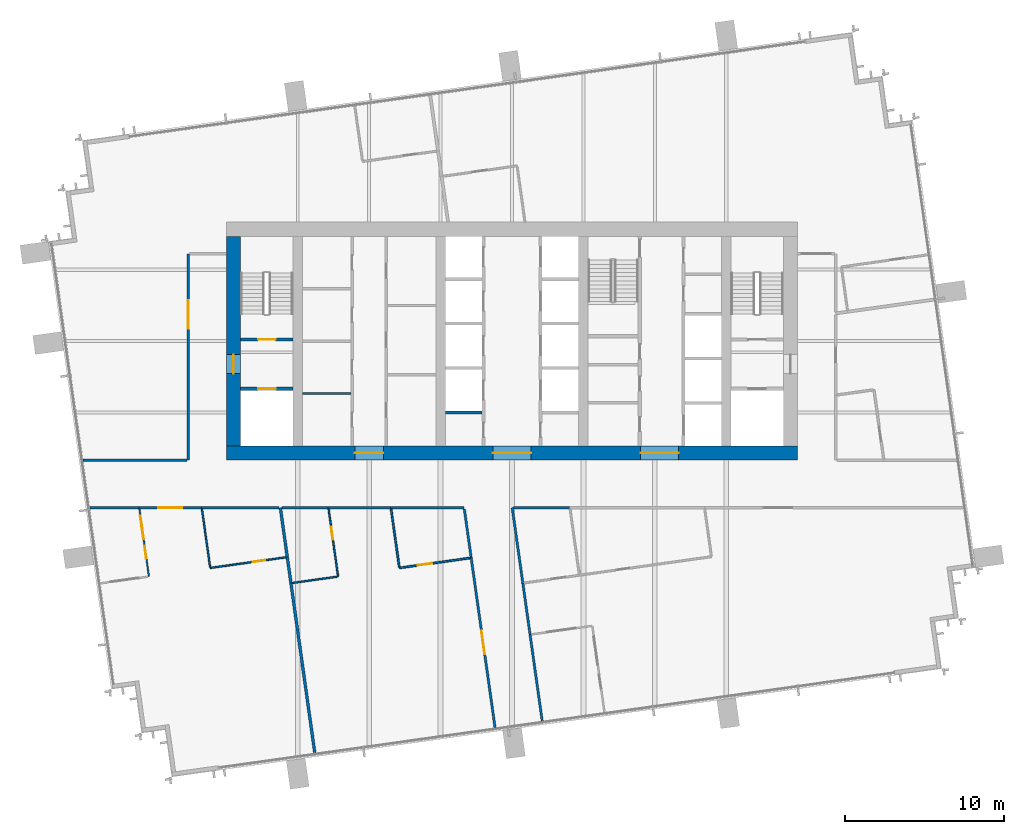
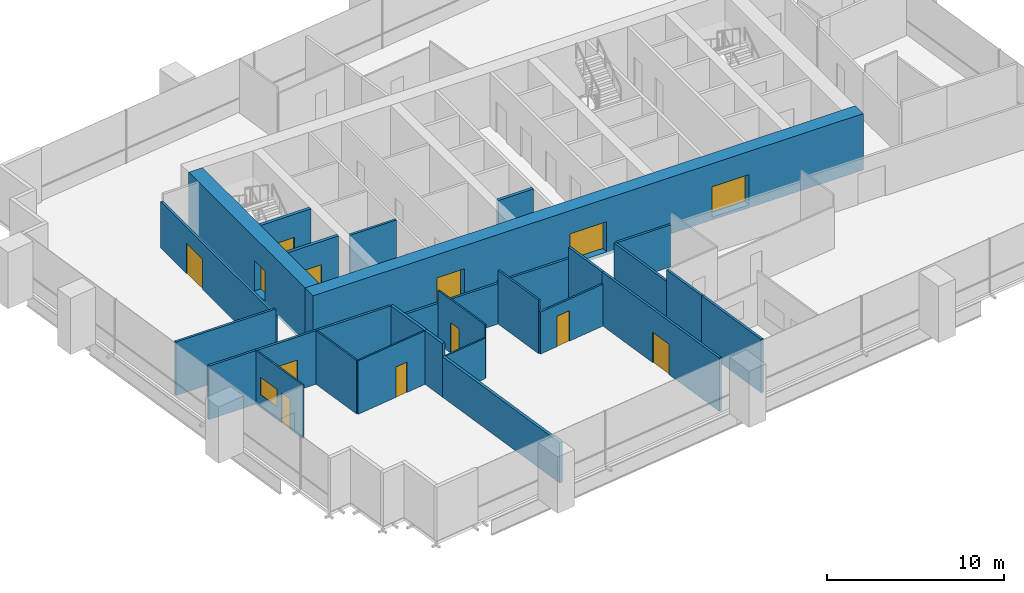
# One storey, part 9 of 14: 30 walls, 13 doors, 1 window, 14 openings.
"""IFC4 building model written with IfcOpenShell, lengths in metres."""

from ifc_helpers import new_model, si_unit, direction, frame, frame_2d, origin, place, context, subcontext, project, spatial, rectangle, extrude, material, layer, layer_set, type_object, element, fill, save


model = new_model("IFC4")

# Units and contexts
model_context = context("Model", 3, precision=1e-05, world=origin(), true_north=direction((0.0, 1.0)))
body_context = subcontext(model_context, "Body", "Model", "MODEL_VIEW")
ifc_project = project(units=[si_unit("LENGTHUNIT", "METRE"), si_unit("AREAUNIT", "SQUARE_METRE"), si_unit("VOLUMEUNIT", "CUBIC_METRE"), si_unit("PLANEANGLEUNIT", "RADIAN"), si_unit("MASSUNIT", "GRAM", prefix="KILO")], contexts=[model_context])

# Site, building, storey
site_placement = place(None, origin())
site = spatial("IfcSite", under=ifc_project, at=site_placement, CompositionType="ELEMENT")
building_placement = place(site_placement, origin())
building = spatial("IfcBuilding", under=site, at=building_placement, Name="Rattan Terrace Tower", CompositionType="ELEMENT")
storey_placement = place(building_placement, frame((0.0, 0.0, 172.39990234375)))
storey = spatial("IfcBuildingStorey", under=building, at=storey_placement, Name="L39", CompositionType="ELEMENT", Elevation=172.39990234375)

# Wall
ifc_material_1 = material(Name="Gypsum board partition")
ifc_layer_1 = layer(ifc_material_1, 0.14990234375)
ifc_layer_set_1 = layer_set([ifc_layer_1], Name="Core partition 150")
wall_type_1 = type_object("IfcWallType", Name="Core partition 150", PredefinedType="PARTITIONING", material=ifc_layer_set_1)
wall_1_placement = place(storey_placement, frame((-13.199951171875, -3.300048828125, 0.0), z_axis=(0.0, 0.0, 1.0), x_axis=(1.0, 0.0, 0.0)))
element("IfcWall", 1, at=wall_1_placement, inside=storey, type_object=wall_type_1, Name="Core room wall", PredefinedType="PARTITIONING", context=body_context, shape_type="SweptSolid", body=[
    extrude(rectangle(XDim=3.050048828125, YDim=0.14990234375, at=frame_2d((1.52490234375, 0.0))), origin(), (0.0, 0.0, 1.0), 3.7001953125),
])

# Wall, opening, door
ifc_material_2 = material(Name="Gypsum board partition")
ifc_layer_2 = layer(ifc_material_2, 0.199951171875)
ifc_layer_set_2 = layer_set([ifc_layer_2], Name="Core partition 200")
wall_type_2 = type_object("IfcWallType", Name="Core partition 200", PredefinedType="PARTITIONING", material=ifc_layer_set_2)
wall_2_placement = place(storey_placement, frame((-17.10009765625, -3.0, 0.0), z_axis=(0.0, 0.0, 1.0), x_axis=(1.0, 0.0, 0.0)))
wall_2 = element("IfcWall", 2, at=wall_2_placement, inside=storey, type_object=wall_type_2, Name="Fire-fighting lobby wall", PredefinedType="PARTITIONING", context=body_context, shape_type="SweptSolid", body=[
    extrude(rectangle(XDim=3.300048828125, YDim=0.199951171875, at=frame_2d((1.64990234375, 0.0))), origin(), (0.0, 0.0, 1.0), 3.7001953125),
])
opening_1_placement = place(wall_2_placement, frame((1.10009765625, 0.0, 0.0)))
opening_1 = element("IfcOpeningElement", 3, at=opening_1_placement, cuts=wall_2, Name="Opening L39-LD-FF1", PredefinedType="OPENING", context=body_context, shape_type="SweptSolid", body=[
    extrude(rectangle(XDim=1.10009765625, YDim=2.10009765625, at=frame_2d((0.550048828125, 1.050048828125))), frame((0.0, 0.110595703125, 0.0), z_axis=(0.0, -1.0, 0.0), x_axis=(1.0, 0.0, 0.0)), (0.0, 0.0, 1.0), 0.220947265625),
])
ifc_material_3 = material(Name="Brushed stainless landing door panel")
door_type_1 = type_object("IfcDoorType", Name="Core lift landing door 1100", OperationType="DOUBLE_DOOR_SLIDING", PredefinedType="DOOR", material=ifc_material_3)
door_1_placement = place(opening_1_placement, origin())
door_1 = element("IfcDoor", 4, at=door_1_placement, inside=storey, type_object=door_type_1, Name="Door L39-LD-FF1", OperationType="DOUBLE_DOOR_SLIDING", OverallHeight=2.10009765625, OverallWidth=1.10009765625, PredefinedType="DOOR", context=body_context, shape_type="SweptSolid", body=[
    extrude(rectangle(XDim=1.10009765625, YDim=2.10009765625, at=frame_2d((0.550048828125, 1.050048828125))), frame((0.0, 0.02490234375, 0.0), z_axis=(0.0, -1.0, 0.0), x_axis=(1.0, 0.0, 0.0)), (0.0, 0.0, 1.0), 0.050048828125),
])
fill(opening_1, door_1)

wall_3_placement = place(storey_placement, frame((-17.10009765625, 0.10009765625, 0.0), z_axis=(0.0, 0.0, 1.0), x_axis=(1.0, 0.0, 0.0)))
wall_3 = element("IfcWall", 5, at=wall_3_placement, inside=storey, type_object=wall_type_2, Name="Stair enclosure wall", PredefinedType="PARTITIONING", context=body_context, shape_type="SweptSolid", body=[
    extrude(rectangle(XDim=3.300048828125, YDim=0.199951171875, at=frame_2d((1.64990234375, 0.0))), origin(), (0.0, 0.0, 1.0), 3.7001953125),
])
opening_2_placement = place(wall_3_placement, frame((1.10009765625, 0.0, 0.0)))
opening_2 = element("IfcOpeningElement", 6, at=opening_2_placement, cuts=wall_3, Name="Opening L39-D002", PredefinedType="OPENING", context=body_context, shape_type="SweptSolid", body=[
    extrude(rectangle(XDim=1.10009765625, YDim=2.10009765625, at=frame_2d((0.550048828125, 1.050048828125))), frame((0.0, 0.110595703125, 0.0), z_axis=(0.0, -1.0, 0.0), x_axis=(1.0, 0.0, 0.0)), (0.0, 0.0, 1.0), 0.220947265625),
])
ifc_material_4 = material(Name="Hollow-metal fire door leaf")
door_type_2 = type_object("IfcDoorType", Name="Core stair door 1100", OperationType="NOTDEFINED", PredefinedType="DOOR", material=ifc_material_4)
door_2_placement = place(opening_2_placement, origin())
door_2 = element("IfcDoor", 7, at=door_2_placement, inside=storey, type_object=door_type_2, Name="Door L39-D002", OperationType="SINGLE_SWING_RIGHT", OverallHeight=2.10009765625, OverallWidth=1.10009765625, PredefinedType="DOOR", context=body_context, shape_type="SweptSolid", body=[
    extrude(rectangle(XDim=1.10009765625, YDim=2.10009765625, at=frame_2d((0.550048828125, 1.050048828125))), frame((0.0, 0.02490234375, 0.0), z_axis=(0.0, -1.0, 0.0), x_axis=(1.0, 0.0, 0.0)), (0.0, 0.0, 1.0), 0.050048828125),
])
fill(opening_2, door_2)

# Wall, openings, doors
ifc_material_5 = material(Name="Concrete C60/75", Category="concrete")
ifc_layer_3 = layer(ifc_material_5, 0.89990234375)
ifc_layer_set_3 = layer_set([ifc_layer_3], Name="Core ring wall 900 C60/75")
wall_type_3 = type_object("IfcWallType", Name="Core ring wall 900 C60/75", PredefinedType="SHEAR", material=ifc_layer_set_3)
wall_4_placement = place(storey_placement, frame((-18.0, -7.050048828125, -0.199951171875), z_axis=(0.0, 0.0, 1.0), x_axis=(1.0, 0.0, 0.0)))
wall_4 = element("IfcWall", 8, at=wall_4_placement, inside=storey, type_object=wall_type_3, Name="Rear core wall south", PredefinedType="SHEAR", context=body_context, shape_type="SweptSolid", body=[
    extrude(rectangle(XDim=36.0, YDim=0.89990234375, at=frame_2d((18.0, 0.0))), origin(), (0.0, 0.0, 1.0), 3.900146484375),
])
opening_3_placement = place(wall_4_placement, frame((8.10009765625, 0.0, 0.199951171875)))
opening_3 = element("IfcOpeningElement", 9, at=opening_3_placement, cuts=wall_4, Name="Opening L39-D012", PredefinedType="OPENING", context=body_context, shape_type="SweptSolid", body=[
    extrude(rectangle(XDim=1.800048828125, YDim=2.10009765625, at=frame_2d((0.89990234375, 1.050048828125))), frame((0.0, 0.46044921875, 0.0), z_axis=(0.0, -1.0, 0.0), x_axis=(1.0, 0.0, 0.0)), (0.0, 0.0, 1.0), 0.9208984375),
])
opening_4_placement = place(wall_4_placement, frame((16.800048828125, 0.0, 0.199951171875)))
opening_4 = element("IfcOpeningElement", 10, at=opening_4_placement, cuts=wall_4, Name="Opening L39-D015", PredefinedType="OPENING", context=body_context, shape_type="SweptSolid", body=[
    extrude(rectangle(XDim=2.39990234375, YDim=2.10009765625, at=frame_2d((1.199951171875, 1.050048828125))), frame((0.0, 0.46044921875, 0.0), z_axis=(0.0, -1.0, 0.0), x_axis=(1.0, 0.0, 0.0)), (0.0, 0.0, 1.0), 0.9208984375),
])
opening_5_placement = place(wall_4_placement, frame((26.10009765625, 0.0, 0.199951171875)))
opening_5 = element("IfcOpeningElement", 11, at=opening_5_placement, cuts=wall_4, Name="Opening L39-D020", PredefinedType="OPENING", context=body_context, shape_type="SweptSolid", body=[
    extrude(rectangle(XDim=2.39990234375, YDim=2.10009765625, at=frame_2d((1.199951171875, 1.050048828125))), frame((0.0, 0.46044921875, 0.0), z_axis=(0.0, -1.0, 0.0), x_axis=(1.0, 0.0, 0.0)), (0.0, 0.0, 1.0), 0.9208984375),
])
ifc_material_6 = material(Name="Hollow-metal fire door leaf")
door_type_3 = type_object("IfcDoorType", Name="Core lift lobby door 2400", OperationType="NOTDEFINED", PredefinedType="DOOR", material=ifc_material_6)
door_3_placement = place(opening_4_placement, origin())
door_3 = element("IfcDoor", 12, at=door_3_placement, inside=storey, type_object=door_type_3, Name="Door L39-D015", OperationType="DOUBLE_DOOR_DOUBLE_SWING", OverallHeight=2.10009765625, OverallWidth=2.39990234375, PredefinedType="DOOR", context=body_context, shape_type="SweptSolid", body=[
    extrude(rectangle(XDim=2.39990234375, YDim=2.10009765625, at=frame_2d((1.199951171875, 1.050048828125))), frame((0.0, 0.02490234375, 0.0), z_axis=(0.0, -1.0, 0.0), x_axis=(1.0, 0.0, 0.0)), (0.0, 0.0, 1.0), 0.050048828125),
])
fill(opening_4, door_3)
door_4_placement = place(opening_5_placement, origin())
door_4 = element("IfcDoor", 13, at=door_4_placement, inside=storey, type_object=door_type_3, Name="Door L39-D020", OperationType="DOUBLE_DOOR_DOUBLE_SWING", OverallHeight=2.10009765625, OverallWidth=2.39990234375, PredefinedType="DOOR", context=body_context, shape_type="SweptSolid", body=[
    extrude(rectangle(XDim=2.39990234375, YDim=2.10009765625, at=frame_2d((1.199951171875, 1.050048828125))), frame((0.0, 0.02490234375, 0.0), z_axis=(0.0, -1.0, 0.0), x_axis=(1.0, 0.0, 0.0)), (0.0, 0.0, 1.0), 0.050048828125),
])
fill(opening_5, door_4)
ifc_material_7 = material(Name="Hollow-metal fire door leaf")
door_type_4 = type_object("IfcDoorType", Name="Core service room door 1800", OperationType="NOTDEFINED", PredefinedType="DOOR", material=ifc_material_7)
door_5_placement = place(opening_3_placement, origin())
door_5 = element("IfcDoor", 14, at=door_5_placement, inside=storey, type_object=door_type_4, Name="Door L39-D012", OperationType="SINGLE_SWING_RIGHT", OverallHeight=2.10009765625, OverallWidth=1.800048828125, PredefinedType="DOOR", context=body_context, shape_type="SweptSolid", body=[
    extrude(rectangle(XDim=1.800048828125, YDim=2.10009765625, at=frame_2d((0.89990234375, 1.050048828125))), frame((0.0, 0.02490234375, 0.0), z_axis=(0.0, -1.0, 0.0), x_axis=(1.0, 0.0, 0.0)), (0.0, 0.0, 1.0), 0.050048828125),
])
fill(opening_3, door_5)

# Wall, opening, door
wall_5_placement = place(storey_placement, frame((-17.550048828125, -6.60009765625, -0.199951171875), z_axis=(0.0, 0.0, 1.0), x_axis=(0.0, 1.0, 0.0)))
wall_5 = element("IfcWall", 15, at=wall_5_placement, inside=storey, type_object=wall_type_3, Name="Rear core wall west", PredefinedType="SHEAR", context=body_context, shape_type="SweptSolid", body=[
    extrude(rectangle(XDim=13.2001953125, YDim=0.89990234375, at=frame_2d((6.60009765625, 0.0))), origin(), (0.0, 0.0, 1.0), 3.900146484375),
])
opening_6_placement = place(wall_5_placement, frame((4.550048828125, 0.0, 0.199951171875)))
opening_6 = element("IfcOpeningElement", 16, at=opening_6_placement, cuts=wall_5, Name="Opening L39-D001", PredefinedType="OPENING", context=body_context, shape_type="SweptSolid", body=[
    extrude(rectangle(XDim=1.199951171875, YDim=2.10009765625, at=frame_2d((0.60009765625, 1.050048828125))), frame((0.0, 0.46044921875, 0.0), z_axis=(0.0, -1.0, 0.0), x_axis=(1.0, 0.0, 0.0)), (0.0, 0.0, 1.0), 0.9208984375),
])
ifc_material_8 = material(Name="Hollow-metal fire door leaf")
door_type_5 = type_object("IfcDoorType", Name="Core fire-fighting lobby door 1200", OperationType="NOTDEFINED", PredefinedType="DOOR", material=ifc_material_8)
door_6_placement = place(opening_6_placement, origin())
door_6 = element("IfcDoor", 17, at=door_6_placement, inside=storey, type_object=door_type_5, Name="Door L39-D001", OperationType="SINGLE_SWING_LEFT", OverallHeight=2.10009765625, OverallWidth=1.199951171875, PredefinedType="DOOR", context=body_context, shape_type="SweptSolid", body=[
    extrude(rectangle(XDim=1.199951171875, YDim=2.10009765625, at=frame_2d((0.60009765625, 1.050048828125))), frame((0.0, 0.02490234375, 0.0), z_axis=(0.0, -1.0, 0.0), x_axis=(1.0, 0.0, 0.0)), (0.0, 0.0, 1.0), 0.050048828125),
])
fill(opening_6, door_6)

# Walls
ifc_material_9 = material(Name="Double steel stud acoustic partition, gypsum board, mineral wool, fire rated", Category="steel")
ifc_layer_4 = layer(ifc_material_9, 0.179931640625)
ifc_layer_set_4 = layer_set([ifc_layer_4], Name="Floors Acoustic Party Wall 180")
wall_type_4 = type_object("IfcWallType", Name="Floors Acoustic Party Wall 180", PredefinedType="PARTITIONING", material=ifc_layer_set_4)
wall_6_placement = place(storey_placement, frame((-13.929931640625, -15.23291015625, 0.0), z_axis=(0.0, 0.0, 1.0), x_axis=(0.139092809985, -0.990279349583, 0.0)))
element("IfcWall", 18, at=wall_6_placement, inside=storey, type_object=wall_type_4, Name="pt-L39-028", PredefinedType="PARTITIONING", context=body_context, shape_type="SweptSolid", body=[
    extrude(rectangle(XDim=10.80517578125, YDim=0.179931640625, at=frame_2d((5.402587890625, 0.0))), origin(), (0.0, 0.0, 1.0), 2.800048828125),
])
wall_7_placement = place(storey_placement, frame((-14.157958984375, -13.611083984375, 0.0), z_axis=(0.0, 0.0, 1.0), x_axis=(0.139229707098, -0.990260111618, 0.0)))
element("IfcWall", 19, at=wall_7_placement, inside=storey, type_object=wall_type_4, Name="pt-L39-029", PredefinedType="PARTITIONING", context=body_context, shape_type="SweptSolid", body=[
    extrude(rectangle(XDim=1.6376953125, YDim=0.179931640625, at=frame_2d((0.81884765625, 0.0))), origin(), (0.0, 0.0, 1.0), 3.7001953125),
])
wall_8_placement = place(storey_placement, frame((-14.594970703125, -10.5, 0.0), z_axis=(0.0, 0.0, 1.0), x_axis=(0.139103611391, -0.990277832377, 0.0)))
element("IfcWall", 20, at=wall_8_placement, inside=storey, type_object=wall_type_4, Name="pt-L39-030", PredefinedType="PARTITIONING", context=body_context, shape_type="SweptSolid", body=[
    extrude(rectangle(XDim=3.1416015625, YDim=0.179931640625, at=frame_2d((1.57080078125, 0.0))), origin(), (0.0, 0.0, 1.0), 3.7001953125),
])

# Wall, openings, door, window
ifc_material_10 = material(Name="Gypsum board partition on steel studs", Category="steel")
ifc_layer_5 = layer(ifc_material_10, 0.10009765625)
ifc_layer_set_5 = layer_set([ifc_layer_5], Name="Floors Partition 100")
wall_type_5 = type_object("IfcWallType", Name="Floors Partition 100", PredefinedType="PARTITIONING", material=ifc_layer_set_5)
wall_9_placement = place(storey_placement, frame((-22.875, -14.8359375, 0.0), z_axis=(0.0, 0.0, 1.0), x_axis=(-0.139240076126, 0.990258653686, 0.0)))
wall_9 = element("IfcWall", 21, at=wall_9_placement, inside=storey, type_object=wall_type_5, Name="pt-L39-025", PredefinedType="PARTITIONING", context=body_context, shape_type="SweptSolid", body=[
    extrude(rectangle(XDim=4.309814453125, YDim=0.10009765625, at=frame_2d((2.15478515625, 0.0))), origin(), (0.0, 0.0, 1.0), 3.7001953125),
])
opening_7_placement = place(wall_9_placement, frame((1.153076171875, 0.0, 0.0)))
opening_7 = element("IfcOpeningElement", 22, at=opening_7_placement, cuts=wall_9, Name="Opening L39-D101", PredefinedType="OPENING", context=body_context, shape_type="SweptSolid", body=[
    extrude(rectangle(XDim=0.800048828125, YDim=2.10009765625, at=frame_2d((0.39990234375, 1.050048828125))), frame((0.0, 0.060546875, 0.0), z_axis=(0.0, -1.0, 0.0), x_axis=(1.0, 0.0, 0.0)), (0.0, 0.0, 1.0), 0.12109375),
])
opening_8_placement = place(wall_9_placement, frame((2.373046875, 0.0, 0.89990234375)))
opening_8 = element("IfcOpeningElement", 23, at=opening_8_placement, cuts=wall_9, Name="Opening L39-W101", PredefinedType="OPENING", context=body_context, shape_type="SweptSolid", body=[
    extrude(rectangle(XDim=1.5, YDim=1.199951171875, at=frame_2d((0.75, 0.60009765625))), frame((0.0, 0.060546875, 0.0), z_axis=(0.0, -1.0, 0.0), x_axis=(1.0, 0.0, 0.0)), (0.0, 0.0, 1.0), 0.12109375),
])
ifc_material_11 = material(Name="Solid core timber door, painted", Category="wood")
door_type_6 = type_object("IfcDoorType", Name="Floors Store Door 800x2100", OperationType="NOTDEFINED", PredefinedType="DOOR", material=ifc_material_11)
door_7_placement = place(opening_7_placement, origin())
door_7 = element("IfcDoor", 24, at=door_7_placement, inside=storey, type_object=door_type_6, Name="d-L39-101", OperationType="SINGLE_SWING_LEFT", OverallHeight=2.10009765625, OverallWidth=0.800048828125, PredefinedType="DOOR", context=body_context, shape_type="SweptSolid", body=[
    extrude(rectangle(XDim=0.800048828125, YDim=2.10009765625, at=frame_2d((0.39990234375, 1.050048828125))), frame((0.0, 0.02490234375, 0.0), z_axis=(0.0, -1.0, 0.0), x_axis=(1.0, 0.0, 0.0)), (0.0, 0.0, 1.0), 0.050048828125),
])
fill(opening_7, door_7)
ifc_material_12 = material(Name="Glass, clear, fixed in aluminium frame", Category="aluminium")
window_type = type_object("IfcWindowType", Name="Interior Vision Window 1500x1200", PartitioningType="SINGLE_PANEL", PredefinedType="WINDOW", material=ifc_material_12)
window_placement = place(opening_8_placement, origin())
window = element("IfcWindow", 25, at=window_placement, inside=storey, type_object=window_type, Name="w-L39-101", OverallHeight=1.199951171875, OverallWidth=1.5, PartitioningType="SINGLE_PANEL", PredefinedType="WINDOW", context=body_context, shape_type="SweptSolid", body=[
    extrude(rectangle(XDim=1.5, YDim=1.199951171875, at=frame_2d((0.75, 0.60009765625))), frame((0.0, 0.030029296875, 0.0), z_axis=(0.0, -1.0, 0.0), x_axis=(1.0, 0.0, 0.0)), (0.0, 0.0, 1.0), 0.06005859375),
])
fill(opening_8, window)

# Wall
wall_10_placement = place(storey_placement, frame((-19.537109375, -10.568115234375, 0.0), z_axis=(0.0, 0.0, 1.0), x_axis=(0.139303202992, -0.990249775378, 0.0)))
element("IfcWall", 26, at=wall_10_placement, inside=storey, type_object=wall_type_5, Name="pt-L39-026", PredefinedType="PARTITIONING", context=body_context, shape_type="SweptSolid", body=[
    extrude(rectangle(XDim=3.7119140625, YDim=0.10009765625, at=frame_2d((1.85595703125, 0.0))), origin(), (0.0, 0.0, 1.0), 3.7001953125),
])

# Wall, opening, door
wall_11_placement = place(storey_placement, frame((-19.012939453125, -14.29296875, 0.0), z_axis=(0.0, 0.0, 1.0), x_axis=(0.990264556242, 0.139198091406, 0.0)))
wall_11 = element("IfcWall", 27, at=wall_11_placement, inside=storey, type_object=wall_type_5, Name="pt-L39-027", PredefinedType="PARTITIONING", context=body_context, shape_type="SweptSolid", body=[
    extrude(rectangle(XDim=4.812744140625, YDim=0.10009765625, at=frame_2d((2.40625, 0.0))), origin(), (0.0, 0.0, 1.0), 3.7001953125),
])
opening_9_placement = place(wall_11_placement, frame((2.708984375, 0.0, 0.0)))
opening_9 = element("IfcOpeningElement", 28, at=opening_9_placement, cuts=wall_11, Name="Opening L39-D102", PredefinedType="OPENING", context=body_context, shape_type="SweptSolid", body=[
    extrude(rectangle(XDim=0.800048828125, YDim=2.10009765625, at=frame_2d((0.39990234375, 1.050048828125))), frame((0.0, 0.060546875, 0.0), z_axis=(0.0, -1.0, 0.0), x_axis=(1.0, 0.0, 0.0)), (0.0, 0.0, 1.0), 0.12109375),
])
door_8_placement = place(opening_9_placement, origin())
door_8 = element("IfcDoor", 29, at=door_8_placement, inside=storey, type_object=door_type_6, Name="d-L39-102", OperationType="SINGLE_SWING_RIGHT", OverallHeight=2.10009765625, OverallWidth=0.800048828125, PredefinedType="DOOR", context=body_context, shape_type="SweptSolid", body=[
    extrude(rectangle(XDim=0.800048828125, YDim=2.10009765625, at=frame_2d((0.39990234375, 1.050048828125))), frame((0.0, 0.02490234375, 0.0), z_axis=(0.0, -1.0, 0.0), x_axis=(1.0, 0.0, 0.0)), (0.0, 0.0, 1.0), 0.050048828125),
])
fill(opening_9, door_8)

# Wall
wall_12_placement = place(storey_placement, frame((-13.837890625, -15.240966796875, 0.0), z_axis=(0.0, 0.0, 1.0), x_axis=(0.990263018372, 0.139209031475, 0.0)))
element("IfcWall", 30, at=wall_12_placement, inside=storey, type_object=wall_type_5, Name="pt-L39-031", PredefinedType="PARTITIONING", context=body_context, shape_type="SweptSolid", body=[
    extrude(rectangle(XDim=2.858642578125, YDim=0.10009765625, at=frame_2d((1.42919921875, 0.0))), origin(), (0.0, 0.0, 1.0), 2.800048828125),
])

# Wall, opening, door
wall_13_placement = place(storey_placement, frame((-10.95703125, -14.8359375, 0.0), z_axis=(0.0, 0.0, 1.0), x_axis=(-0.138962312518, 0.990297670249, 0.0)))
wall_13 = element("IfcWall", 31, at=wall_13_placement, inside=storey, type_object=wall_type_5, Name="pt-L39-032", PredefinedType="PARTITIONING", context=body_context, shape_type="SweptSolid", body=[
    extrude(rectangle(XDim=4.3095703125, YDim=0.10009765625, at=frame_2d((2.15478515625, 0.0))), origin(), (0.0, 0.0, 1.0), 3.7001953125),
])
opening_10_placement = place(wall_13_placement, frame((2.35693359375, 0.0, 0.0)))
opening_10 = element("IfcOpeningElement", 32, at=opening_10_placement, cuts=wall_13, Name="Opening L39-D104", PredefinedType="OPENING", context=body_context, shape_type="SweptSolid", body=[
    extrude(rectangle(XDim=0.800048828125, YDim=2.10009765625, at=frame_2d((0.39990234375, 1.050048828125))), frame((0.0, 0.060546875, 0.0), z_axis=(0.0, -1.0, 0.0), x_axis=(1.0, 0.0, 0.0)), (0.0, 0.0, 1.0), 0.12109375),
])
door_9_placement = place(opening_10_placement, origin())
door_9 = element("IfcDoor", 33, at=door_9_placement, inside=storey, type_object=door_type_6, Name="d-L39-104", OperationType="SINGLE_SWING_RIGHT", OverallHeight=2.10009765625, OverallWidth=0.800048828125, PredefinedType="DOOR", context=body_context, shape_type="SweptSolid", body=[
    extrude(rectangle(XDim=0.800048828125, YDim=2.10009765625, at=frame_2d((0.39990234375, 1.050048828125))), frame((0.0, 0.02490234375, 0.0), z_axis=(0.0, -1.0, 0.0), x_axis=(1.0, 0.0, 0.0)), (0.0, 0.0, 1.0), 0.050048828125),
])
fill(opening_10, door_9)

ifc_material_13 = material(Name="Gypsum board partition on steel studs, fire rated", Category="steel")
ifc_layer_6 = layer(ifc_material_13, 0.14990234375)
ifc_layer_set_6 = layer_set([ifc_layer_6], Name="Floors Tenancy Wall 150")
wall_type_6 = type_object("IfcWallType", Name="Floors Tenancy Wall 150", PredefinedType="PARTITIONING", material=ifc_layer_set_6)
wall_14_placement = place(storey_placement, frame((-19.56591796875, -10.5, 0.0), z_axis=(0.0, 0.0, 1.0), x_axis=(-1.0, 0.0, 0.0)))
wall_14 = element("IfcWall", 34, at=wall_14_placement, inside=storey, type_object=wall_type_6, Name="pt-L39-001", PredefinedType="PARTITIONING", context=body_context, shape_type="SweptSolid", body=[
    extrude(rectangle(XDim=3.93896484375, YDim=0.14990234375, at=frame_2d((1.969482421875, 0.0))), origin(), (0.0, 0.0, 1.0), 3.7001953125),
])
opening_11_placement = place(wall_14_placement, frame((1.219970703125, 0.0, 0.0)))
opening_11 = element("IfcOpeningElement", 35, at=opening_11_placement, cuts=wall_14, Name="Opening L39-D100", PredefinedType="OPENING", context=body_context, shape_type="SweptSolid", body=[
    extrude(rectangle(XDim=1.5, YDim=2.10009765625, at=frame_2d((0.75, 1.050048828125))), frame((0.0, 0.08544921875, 0.0), z_axis=(0.0, -1.0, 0.0), x_axis=(1.0, 0.0, 0.0)), (0.0, 0.0, 1.0), 0.1708984375),
])
ifc_material_14 = material(Name="Steel fire door set", Category="steel")
door_type_7 = type_object("IfcDoorType", Name="Floors Unit Door Pair FD30S 1500x2100", OperationType="NOTDEFINED", PredefinedType="DOOR", material=ifc_material_14)
door_10_placement = place(opening_11_placement, origin())
door_10 = element("IfcDoor", 36, at=door_10_placement, inside=storey, type_object=door_type_7, Name="d-L39-100", OperationType="DOUBLE_DOOR_SINGLE_SWING", OverallHeight=2.10009765625, OverallWidth=1.5, PredefinedType="DOOR", context=body_context, shape_type="SweptSolid", body=[
    extrude(rectangle(XDim=1.5, YDim=2.10009765625, at=frame_2d((0.75, 1.050048828125))), frame((0.0, 0.02490234375, 0.0), z_axis=(0.0, -1.0, 0.0), x_axis=(1.0, 0.0, 0.0)), (0.0, 0.0, 1.0), 0.050048828125),
])
fill(opening_11, door_10)

# Walls
wall_15_placement = place(storey_placement, frame((-23.5048828125, -10.5, 0.0), z_axis=(0.0, 0.0, 1.0), x_axis=(-1.0, 0.0, 0.0)))
element("IfcWall", 37, at=wall_15_placement, inside=storey, type_object=wall_type_6, Name="pt-L39-002", PredefinedType="PARTITIONING", context=body_context, shape_type="SweptSolid", body=[
    extrude(rectangle(XDim=3.089111328125, YDim=0.14990234375, at=frame_2d((1.54443359375, 0.0))), origin(), (0.0, 0.0, 1.0), 3.7001953125),
])
wall_16_placement = place(storey_placement, frame((-14.68408203125, -10.5, 0.0), z_axis=(0.0, 0.0, 1.0), x_axis=(-1.0, 0.0, 0.0)))
element("IfcWall", 38, at=wall_16_placement, inside=storey, type_object=wall_type_6, Name="pt-L39-003", PredefinedType="PARTITIONING", context=body_context, shape_type="SweptSolid", body=[
    extrude(rectangle(XDim=4.8818359375, YDim=0.14990234375, at=frame_2d((2.44091796875, 0.0))), origin(), (0.0, 0.0, 1.0), 3.7001953125),
])
wall_17_placement = place(storey_placement, frame((-7.64794921875, -10.5, 0.0), z_axis=(0.0, 0.0, 1.0), x_axis=(-1.0, 0.0, 0.0)))
element("IfcWall", 39, at=wall_17_placement, inside=storey, type_object=wall_type_6, Name="pt-L39-004", PredefinedType="PARTITIONING", context=body_context, shape_type="SweptSolid", body=[
    extrude(rectangle(XDim=3.93798828125, YDim=0.14990234375, at=frame_2d((1.968994140625, 0.0))), origin(), (0.0, 0.0, 1.0), 2.800048828125),
])

# Wall, opening, door
wall_18_placement = place(storey_placement, frame((-1.070068359375, -24.3369140625, 0.0), z_axis=(0.0, 0.0, 1.0), x_axis=(-0.139184552649, 0.990266459244, 0.0)))
wall_18 = element("IfcWall", 40, at=wall_18_placement, inside=storey, type_object=wall_type_6, Name="pt-L39-005", PredefinedType="PARTITIONING", context=body_context, shape_type="SweptSolid", body=[
    extrude(rectangle(XDim=10.80517578125, YDim=0.14990234375, at=frame_2d((5.402587890625, 0.0))), origin(), (0.0, 0.0, 1.0), 3.7001953125),
])
opening_12_placement = place(wall_18_placement, frame((4.652099609375, 0.0, 0.0)))
opening_12 = element("IfcOpeningElement", 41, at=opening_12_placement, cuts=wall_18, Name="Opening L39-D103", PredefinedType="OPENING", context=body_context, shape_type="SweptSolid", body=[
    extrude(rectangle(XDim=1.5, YDim=2.10009765625, at=frame_2d((0.75, 1.050048828125))), frame((0.0, 0.08544921875, 0.0), z_axis=(0.0, -1.0, 0.0), x_axis=(1.0, 0.0, 0.0)), (0.0, 0.0, 1.0), 0.1708984375),
])
door_11_placement = place(opening_12_placement, origin())
door_11 = element("IfcDoor", 42, at=door_11_placement, inside=storey, type_object=door_type_7, Name="d-L39-103", OperationType="DOUBLE_DOOR_SINGLE_SWING", OverallHeight=2.10009765625, OverallWidth=1.5, PredefinedType="DOOR", context=body_context, shape_type="SweptSolid", body=[
    extrude(rectangle(XDim=1.5, YDim=2.10009765625, at=frame_2d((0.75, 1.050048828125))), frame((0.0, 0.02490234375, 0.0), z_axis=(0.0, -1.0, 0.0), x_axis=(1.0, 0.0, 0.0)), (0.0, 0.0, 1.0), 0.050048828125),
])
fill(opening_12, door_11)

# Walls
wall_19_placement = place(storey_placement, frame((-11.5859375, -10.5, 0.0), z_axis=(0.0, 0.0, 1.0), x_axis=(-1.0, 0.0, 0.0)))
element("IfcWall", 43, at=wall_19_placement, inside=storey, type_object=wall_type_6, Name="pt-L39-006", PredefinedType="PARTITIONING", context=body_context, shape_type="SweptSolid", body=[
    extrude(rectangle(XDim=2.907958984375, YDim=0.14990234375, at=frame_2d((1.4541015625, 0.0))), origin(), (0.0, 0.0, 1.0), 2.800048828125),
])
wall_20_placement = place(storey_placement, frame((-3.014892578125, -10.5, 0.0), z_axis=(0.0, 0.0, 1.0), x_axis=(-1.0, 0.0, 0.0)))
element("IfcWall", 44, at=wall_20_placement, inside=storey, type_object=wall_type_6, Name="pt-L39-007", PredefinedType="PARTITIONING", context=body_context, shape_type="SweptSolid", body=[
    extrude(rectangle(XDim=4.633056640625, YDim=0.14990234375, at=frame_2d((2.31640625, 0.0))), origin(), (0.0, 0.0, 1.0), 2.900146484375),
])
wall_21_placement = place(storey_placement, frame((-2.573974609375, -13.636962890625, 0.0), z_axis=(0.0, 0.0, 1.0), x_axis=(-0.138957403221, 0.990298359127, 0.0)))
element("IfcWall", 45, at=wall_21_placement, inside=storey, type_object=wall_type_6, Name="pt-L39-008", PredefinedType="PARTITIONING", context=body_context, shape_type="SweptSolid", body=[
    extrude(rectangle(XDim=3.093994140625, YDim=0.14990234375, at=frame_2d((1.546875, 0.0))), origin(), (0.0, 0.0, 1.0), 3.7001953125),
])
wall_22_placement = place(storey_placement, frame((0.68603515625, -15.27294921875, 0.0), z_axis=(0.0, 0.0, 1.0), x_axis=(0.139242097723, -0.990258369428, 0.0)))
element("IfcWall", 46, at=wall_22_placement, inside=storey, type_object=wall_type_6, Name="pt-L39-009", PredefinedType="PARTITIONING", context=body_context, shape_type="SweptSolid", body=[
    extrude(rectangle(XDim=3.2314453125, YDim=0.14990234375, at=frame_2d((1.61572265625, 0.0))), origin(), (0.0, 0.0, 1.0), 3.7001953125),
])
wall_23_placement = place(storey_placement, frame((1.135986328125, -18.472900390625, 0.0), z_axis=(0.0, 0.0, 1.0), x_axis=(0.139059647431, -0.990284006968, 0.0)))
element("IfcWall", 47, at=wall_23_placement, inside=storey, type_object=wall_type_6, Name="pt-L39-011", PredefinedType="PARTITIONING", context=body_context, shape_type="SweptSolid", body=[
    extrude(rectangle(XDim=5.50048828125, YDim=0.14990234375, at=frame_2d((2.750244140625, 0.0))), origin(), (0.0, 0.0, 1.0), 3.7001953125),
])
wall_24_placement = place(storey_placement, frame((0.014892578125, -10.5, 0.0), z_axis=(0.0, 0.0, 1.0), x_axis=(0.139243966004, -0.990258106723, 0.0)))
element("IfcWall", 48, at=wall_24_placement, inside=storey, type_object=wall_type_6, Name="pt-L39-012", PredefinedType="PARTITIONING", context=body_context, shape_type="SweptSolid", body=[
    extrude(rectangle(XDim=4.81982421875, YDim=0.14990234375, at=frame_2d((2.409912109375, 0.0))), origin(), (0.0, 0.0, 1.0), 2.900146484375),
])
wall_25_placement = place(storey_placement, frame((3.6298828125, -10.5, 0.0), z_axis=(0.0, 0.0, 1.0), x_axis=(-1.0, 0.0, 0.0)))
element("IfcWall", 49, at=wall_25_placement, inside=storey, type_object=wall_type_6, Name="pt-L39-013", PredefinedType="PARTITIONING", context=body_context, shape_type="SweptSolid", body=[
    extrude(rectangle(XDim=3.52880859375, YDim=0.14990234375, at=frame_2d((1.764404296875, 0.0))), origin(), (0.0, 0.0, 1.0), 2.900146484375),
])
wall_26_placement = place(storey_placement, frame((-27.014892578125, -7.5, 0.0), z_axis=(0.0, 0.0, 1.0), x_axis=(1.0, 0.0, 0.0)))
element("IfcWall", 50, at=wall_26_placement, inside=storey, type_object=wall_type_6, Name="pt-L39-015", PredefinedType="PARTITIONING", context=body_context, shape_type="SweptSolid", body=[
    extrude(rectangle(XDim=6.539794921875, YDim=0.14990234375, at=frame_2d((3.27001953125, 0.0))), origin(), (0.0, 0.0, 1.0), 3.7001953125),
])

# Wall, opening, door
wall_27_placement = place(storey_placement, frame((-20.39990234375, -7.5, 0.0), z_axis=(0.0, 0.0, 1.0), x_axis=(0.0, 1.0, 0.0)))
wall_27 = element("IfcWall", 51, at=wall_27_placement, inside=storey, type_object=wall_type_6, Name="pt-L39-016", PredefinedType="PARTITIONING", context=body_context, shape_type="SweptSolid", body=[
    extrude(rectangle(XDim=13.0, YDim=0.14990234375, at=frame_2d((6.5, 0.0))), origin(), (0.0, 0.0, 1.0), 3.2001953125),
])
opening_13_placement = place(wall_27_placement, frame((8.27490234375, 0.0, 0.0)))
opening_13 = element("IfcOpeningElement", 52, at=opening_13_placement, cuts=wall_27, Name="Opening L39-D110", PredefinedType="OPENING", context=body_context, shape_type="SweptSolid", body=[
    extrude(rectangle(XDim=1.800048828125, YDim=2.10009765625, at=frame_2d((0.89990234375, 1.050048828125))), frame((0.0, 0.08544921875, 0.0), z_axis=(0.0, -1.0, 0.0), x_axis=(1.0, 0.0, 0.0)), (0.0, 0.0, 1.0), 0.1708984375),
])
ifc_material_15 = material(Name="Steel fire door set", Category="steel")
door_type_8 = type_object("IfcDoorType", Name="Floors Fire Door Pair FD30S 1800x2100", OperationType="NOTDEFINED", PredefinedType="DOOR", material=ifc_material_15)
door_12_placement = place(opening_13_placement, origin())
door_12 = element("IfcDoor", 53, at=door_12_placement, inside=storey, type_object=door_type_8, Name="d-L39-110", OperationType="DOUBLE_DOOR_SINGLE_SWING", OverallHeight=2.10009765625, OverallWidth=1.800048828125, PredefinedType="DOOR", context=body_context, shape_type="SweptSolid", body=[
    extrude(rectangle(XDim=1.800048828125, YDim=2.10009765625, at=frame_2d((0.89990234375, 1.050048828125))), frame((0.0, 0.02490234375, 0.0), z_axis=(0.0, -1.0, 0.0), x_axis=(1.0, 0.0, 0.0)), (0.0, 0.0, 1.0), 0.050048828125),
])
fill(opening_13, door_12)

# Wall
ifc_material_16 = material(Name="Moisture resistant gypsum board partition on steel studs with service cavity", Category="steel")
ifc_layer_7 = layer(ifc_material_16, 0.1201171875)
ifc_layer_set_7 = layer_set([ifc_layer_7], Name="Floors Wet Wall 120")
wall_type_7 = type_object("IfcWallType", Name="Floors Wet Wall 120", PredefinedType="PARTITIONING", material=ifc_layer_set_7)
wall_28_placement = place(storey_placement, frame((-7.618896484375, -10.56689453125, 0.0), z_axis=(0.0, 0.0, 1.0), x_axis=(0.13904874823, -0.990285537416, 0.0)))
element("IfcWall", 54, at=wall_28_placement, inside=storey, type_object=wall_type_7, Name="pt-L39-033", PredefinedType="PARTITIONING", context=body_context, shape_type="SweptSolid", body=[
    extrude(rectangle(XDim=3.702880859375, YDim=0.1201171875, at=frame_2d((1.8515625, 0.0))), origin(), (0.0, 0.0, 1.0), 3.7001953125),
])

# Wall, opening, door
wall_29_placement = place(storey_placement, frame((-7.094970703125, -14.29296875, 0.0), z_axis=(0.0, 0.0, 1.0), x_axis=(0.990250373685, 0.139298949807, 0.0)))
wall_29 = element("IfcWall", 55, at=wall_29_placement, inside=storey, type_object=wall_type_7, Name="pt-L39-034", PredefinedType="PARTITIONING", context=body_context, shape_type="SweptSolid", body=[
    extrude(rectangle(XDim=4.49365234375, YDim=0.1201171875, at=frame_2d((2.246826171875, 0.0))), origin(), (0.0, 0.0, 1.0), 2.900146484375),
])
opening_14_placement = place(wall_29_placement, frame((1.177978515625, 0.0, 0.0)))
opening_14 = element("IfcOpeningElement", 56, at=opening_14_placement, cuts=wall_29, Name="Opening L39-D105", PredefinedType="OPENING", context=body_context, shape_type="SweptSolid", body=[
    extrude(rectangle(XDim=0.89990234375, YDim=2.10009765625, at=frame_2d((0.449951171875, 1.050048828125))), frame((0.0, 0.070556640625, 0.0), z_axis=(0.0, -1.0, 0.0), x_axis=(1.0, 0.0, 0.0)), (0.0, 0.0, 1.0), 0.14111328125),
])
ifc_material_17 = material(Name="Solid core timber door, painted", Category="wood")
door_type_9 = type_object("IfcDoorType", Name="Floors Door 900x2100", OperationType="NOTDEFINED", PredefinedType="DOOR", material=ifc_material_17)
door_13_placement = place(opening_14_placement, origin())
door_13 = element("IfcDoor", 57, at=door_13_placement, inside=storey, type_object=door_type_9, Name="d-L39-105", OperationType="SINGLE_SWING_LEFT", OverallHeight=2.10009765625, OverallWidth=0.89990234375, PredefinedType="DOOR", context=body_context, shape_type="SweptSolid", body=[
    extrude(rectangle(XDim=0.89990234375, YDim=2.10009765625, at=frame_2d((0.449951171875, 1.050048828125))), frame((0.0, 0.02490234375, 0.0), z_axis=(0.0, -1.0, 0.0), x_axis=(1.0, 0.0, 0.0)), (0.0, 0.0, 1.0), 0.050048828125),
])
fill(opening_14, door_13)

# Wall
ifc_material_18 = material(Name="Gypsum shaft wall system")
ifc_layer_8 = layer(ifc_material_18, 0.199951171875)
ifc_layer_set_8 = layer_set([ifc_layer_8], Name="Lift shaft wall 200")
wall_type_8 = type_object("IfcWallType", Name="Lift shaft wall 200", PredefinedType="PARTITIONING", material=ifc_layer_set_8)
wall_30_placement = place(storey_placement, frame((-4.199951171875, -4.5, 0.0), z_axis=(0.0, 0.0, 1.0), x_axis=(1.0, 0.0, 0.0)))
element("IfcWall", 58, at=wall_30_placement, inside=storey, type_object=wall_type_8, Name="Lift shaft wall", PredefinedType="PARTITIONING", context=body_context, shape_type="SweptSolid", body=[
    extrude(rectangle(XDim=2.300048828125, YDim=0.199951171875, at=frame_2d((1.14990234375, 0.0))), origin(), (0.0, 0.0, 1.0), 3.7001953125),
])

save(model, "model.ifc")
